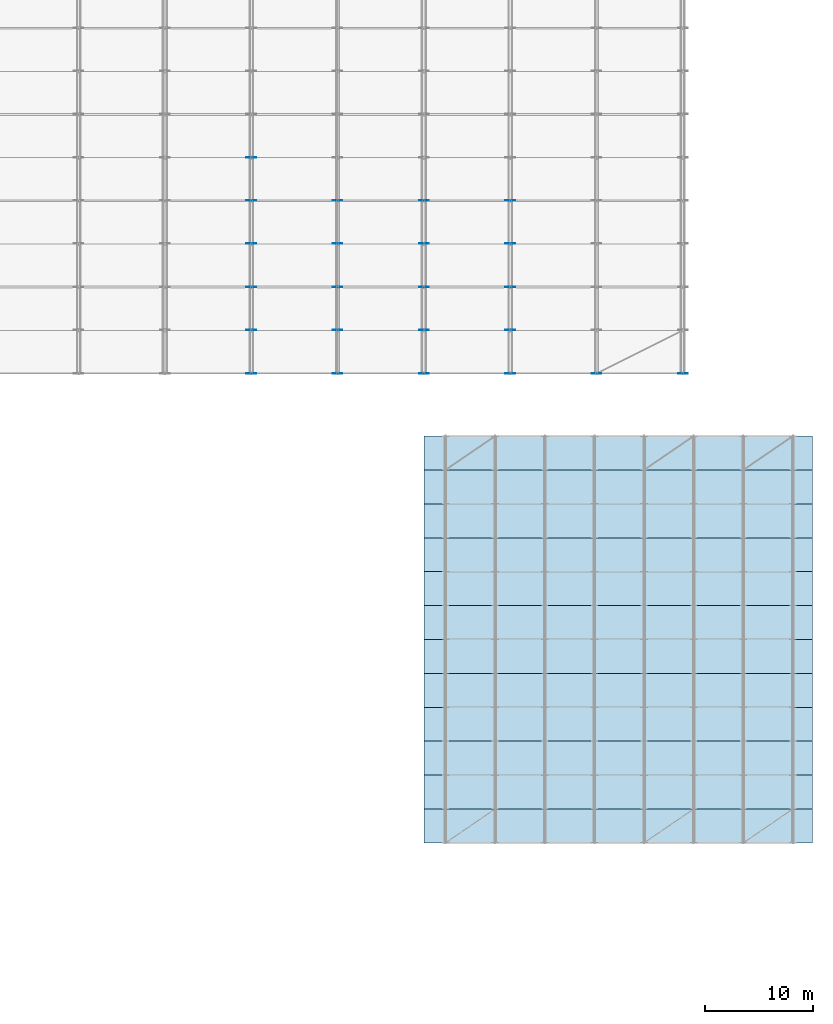
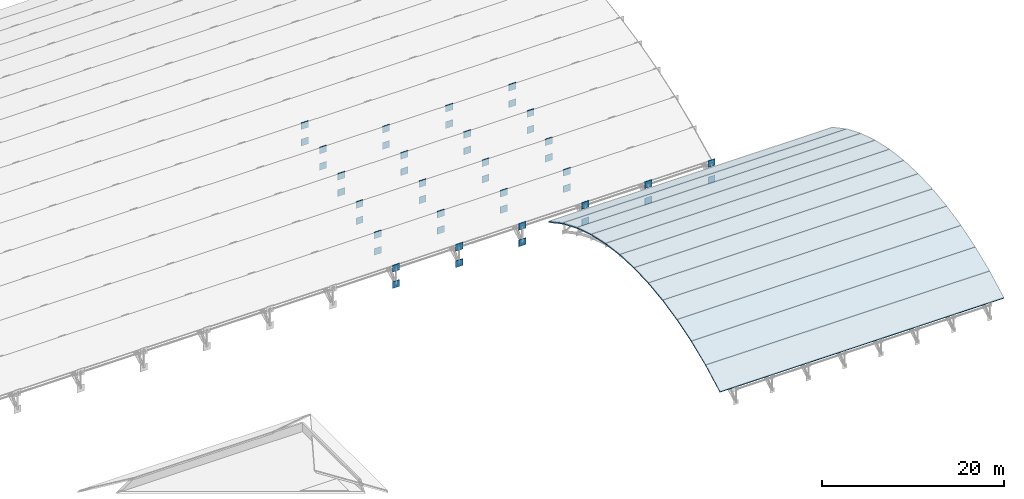
# One storey, part 94 of 98: 46 plates, 12 slabs.
"""IFC4 building model written with IfcOpenShell, lengths in metres."""

from ifc_helpers import new_model, si_unit, direction, frame, origin, origin_2d, place, context, subcontext, project, spatial, polyline, rectangle, outline, extrude, material, layer, layer_set, type_object, element, save


model = new_model("IFC4")

# Units and contexts
model_context = context("Model", 3, precision=1e-05, world=origin(), true_north=direction((0.0, 1.0)))
body_context = subcontext(model_context, "Body", "Model", "MODEL_VIEW")
ifc_project = project(units=[si_unit("LENGTHUNIT", "METRE"), si_unit("AREAUNIT", "SQUARE_METRE"), si_unit("VOLUMEUNIT", "CUBIC_METRE"), si_unit("PLANEANGLEUNIT", "RADIAN"), si_unit("MASSUNIT", "GRAM", prefix="KILO")], contexts=[model_context])

# Site, building, storey
site_placement = place(None, origin())
site = spatial("IfcSite", under=ifc_project, at=site_placement, CompositionType="ELEMENT")
building_placement = place(site_placement, origin())
building = spatial("IfcBuilding", under=site, at=building_placement, Name="Tlacozan Convention Centre", CompositionType="ELEMENT")
storey_placement = place(building_placement, frame((0.0, 0.0, 25.800048828125)))
storey = spatial("IfcBuildingStorey", under=building, at=storey_placement, Name="Roof", CompositionType="ELEMENT", Elevation=25.800048828125)

# Plates
ifc_material_1 = material(Name="Steel ASTM A572 Grade 50", Category="steel")
ifc_layer_1 = layer(ifc_material_1, 0.044921875)
ifc_layer_set_1 = layer_set([ifc_layer_1], Name="Steel ASTM A572 Grade 50")
plate_type = type_object("IfcPlateType", Name="Arch Springing Node Gusset Plate", PredefinedType="SHEET", material=ifc_layer_set_1)
for number, where, z_axis, x_axis, name in (
    (1, (128.0, 61.976318359375, -11.061767578125), (0.0, 0.0, 1.0), (0.0, 1.0, 0.0), "Roof Gusset Cap Plate 545"),
    (2, (128.0, 66.023681640625, -9.070556640625), (0.0, 0.0, 1.0), (0.0, 1.0, 0.0), "Roof Gusset Cap Plate 546"),
    (3, (128.0, 61.976318359375, -13.26171875), (0.0, 0.0, 1.0), (0.0, 1.0, 0.0), "Roof Gusset Cap Plate 547"),
    (4, (128.0, 66.023681640625, -11.2705078125), (0.0, 0.0, 1.0), (0.0, 1.0, 0.0), "Roof Gusset Cap Plate 548"),
    (5, (128.0, 70.0244140625, -7.416015625), (0.0, 0.0, 1.0), (0.0, 1.0, 0.0), "Roof Gusset Cap Plate 549"),
    (6, (128.0, 70.0244140625, -9.615966796875), (0.0, 0.0, 1.0), (0.0, 1.0, 0.0), "Roof Gusset Cap Plate 550"),
    (7, (128.0, 74.025146484375, -6.049072265625), (0.0, 0.0, 1.0), (0.0, 1.0, 0.0), "Roof Gusset Cap Plate 551"),
    (8, (128.0, 74.025146484375, -8.2490234375), (0.0, 0.0, 1.0), (0.0, 1.0, 0.0), "Roof Gusset Cap Plate 552"),
    (9, (128.0, 78.025634765625, -4.9521484375), (0.0, 0.0, 1.0), (0.0, 1.0, 0.0), "Roof Gusset Cap Plate 553"),
    (10, (128.0, 78.025634765625, -7.152099609375), (0.0, 0.0, 1.0), (0.0, 1.0, 0.0), "Roof Gusset Cap Plate 554"),
    (11, (128.0, 82.02587890625, -4.11181640625), (0.0, 0.0, 1.0), (0.0, 1.0, 0.0), "Roof Gusset Cap Plate 555"),
    (12, (128.0, 82.02587890625, -6.311767578125), (0.0, 0.0, 1.0), (0.0, 1.0, 0.0), "Roof Gusset Cap Plate 556"),
    (13, (136.0, 61.976318359375, -11.061767578125), (0.0, 0.0, 1.0), (0.0, 1.0, 0.0), "Roof Gusset Cap Plate 579"),
    (14, (136.0, 66.023681640625, -9.070556640625), (0.0, 0.0, 1.0), (0.0, 1.0, 0.0), "Roof Gusset Cap Plate 580"),
    (15, (136.0, 61.976318359375, -13.26171875), (0.0, 0.0, 1.0), (0.0, 1.0, 0.0), "Roof Gusset Cap Plate 581"),
    (16, (136.0, 66.023681640625, -11.2705078125), (0.0, 0.0, 1.0), (0.0, 1.0, 0.0), "Roof Gusset Cap Plate 582"),
    (17, (136.0, 70.0244140625, -7.416015625), (0.0, 0.0, 1.0), (0.0, 1.0, 0.0), "Roof Gusset Cap Plate 583"),
    (18, (136.0, 70.0244140625, -9.615966796875), (0.0, 0.0, 1.0), (0.0, 1.0, 0.0), "Roof Gusset Cap Plate 584"),
    (19, (136.0, 74.025146484375, -6.049072265625), (0.0, 0.0, 1.0), (0.0, 1.0, 0.0), "Roof Gusset Cap Plate 585"),
    (20, (136.0, 74.025146484375, -8.2490234375), (0.0, 0.0, 1.0), (0.0, 1.0, 0.0), "Roof Gusset Cap Plate 586"),
    (21, (136.0, 78.025634765625, -4.9521484375), (0.0, 0.0, 1.0), (0.0, 1.0, 0.0), "Roof Gusset Cap Plate 587"),
    (22, (136.0, 78.025634765625, -7.152099609375), (0.0, 0.0, 1.0), (0.0, 1.0, 0.0), "Roof Gusset Cap Plate 588"),
    (23, (144.0, 61.976318359375, -11.061767578125), (0.0, 0.0, 1.0), (0.0, 1.0, 0.0), "Roof Gusset Cap Plate 613"),
    (24, (144.0, 66.023681640625, -9.070556640625), (0.0, 0.0, 1.0), (0.0, 1.0, 0.0), "Roof Gusset Cap Plate 614"),
    (25, (144.0, 61.976318359375, -13.26171875), (0.0, 0.0, 1.0), (0.0, 1.0, 0.0), "Roof Gusset Cap Plate 615"),
    (26, (144.0, 66.023681640625, -11.2705078125), (0.0, 0.0, 1.0), (0.0, 1.0, 0.0), "Roof Gusset Cap Plate 616"),
    (27, (144.0, 70.0244140625, -7.416015625), (0.0, 0.0, 1.0), (0.0, 1.0, 0.0), "Roof Gusset Cap Plate 617"),
    (28, (144.0, 70.0244140625, -9.615966796875), (0.0, 0.0, 1.0), (0.0, 1.0, 0.0), "Roof Gusset Cap Plate 618"),
    (29, (144.0, 74.025146484375, -6.049072265625), (0.0, 0.0, 1.0), (0.0, 1.0, 0.0), "Roof Gusset Cap Plate 619"),
    (30, (144.0, 74.025146484375, -8.2490234375), (0.0, 0.0, 1.0), (0.0, 1.0, 0.0), "Roof Gusset Cap Plate 620"),
    (31, (144.0, 78.025634765625, -4.9521484375), (0.0, 0.0, 1.0), (0.0, 1.0, 0.0), "Roof Gusset Cap Plate 621"),
    (32, (144.0, 78.025634765625, -7.152099609375), (0.0, 0.0, 1.0), (0.0, 1.0, 0.0), "Roof Gusset Cap Plate 622"),
    (33, (152.0, 61.976318359375, -11.061767578125), (0.0, 0.0, 1.0), (0.0, 1.0, 0.0), "Roof Gusset Cap Plate 647"),
    (34, (152.0, 66.023681640625, -9.070556640625), (0.0, 0.0, 1.0), (0.0, 1.0, 0.0), "Roof Gusset Cap Plate 648"),
    (35, (152.0, 61.976318359375, -13.26171875), (0.0, 0.0, 1.0), (0.0, 1.0, 0.0), "Roof Gusset Cap Plate 649"),
    (36, (152.0, 66.023681640625, -11.2705078125), (0.0, 0.0, 1.0), (0.0, 1.0, 0.0), "Roof Gusset Cap Plate 650"),
    (37, (152.0, 70.0244140625, -7.416015625), (0.0, 0.0, 1.0), (0.0, 1.0, 0.0), "Roof Gusset Cap Plate 651"),
    (38, (152.0, 70.0244140625, -9.615966796875), (0.0, 0.0, 1.0), (0.0, 1.0, 0.0), "Roof Gusset Cap Plate 652"),
    (39, (152.0, 74.025146484375, -6.049072265625), (0.0, 0.0, 1.0), (0.0, 1.0, 0.0), "Roof Gusset Cap Plate 653"),
    (40, (152.0, 74.025146484375, -8.2490234375), (0.0, 0.0, 1.0), (0.0, 1.0, 0.0), "Roof Gusset Cap Plate 654"),
    (41, (152.0, 78.025634765625, -4.9521484375), (0.0, 0.0, 1.0), (0.0, 1.0, 0.0), "Roof Gusset Cap Plate 655"),
    (42, (152.0, 78.025634765625, -7.152099609375), (0.0, 0.0, 1.0), (0.0, 1.0, 0.0), "Roof Gusset Cap Plate 656"),
    (43, (160.0, 61.976318359375, -11.061767578125), (0.0, 0.0, 1.0), (0.0, 1.0, 0.0), "Roof Gusset Cap Plate 681"),
    (44, (160.0, 61.976318359375, -13.26171875), (0.0, 0.0, 1.0), (0.0, 1.0, 0.0), "Roof Gusset Cap Plate 683"),
    (45, (168.0, 61.976318359375, -11.061767578125), (0.0, 0.0, 1.0), (0.0, 1.0, 0.0), "Roof Gusset Cap Plate 715"),
    (46, (168.0, 61.976318359375, -13.26171875), (0.0, 0.0, 1.0), (0.0, 1.0, 0.0), "Roof Gusset Cap Plate 717"),
):
    element("IfcPlate", number, at=place(storey_placement, frame(where, z_axis=z_axis, x_axis=x_axis)), inside=storey, type_object=plate_type, Name=name, PredefinedType="SHEET", context=body_context, shape_type="SweptSolid", body=[
        extrude(rectangle(XDim=0.044921875, YDim=0.89990234375, at=origin_2d()), origin(), (0.0, 0.0, 1.0), 0.89990234375),
    ])

# Slabs
ifc_material_2 = material(Name="Concrete C40/50", Category="concrete")
ifc_layer_2 = layer(ifc_material_2, 0.14990234375)
ifc_layer_set_2 = layer_set([ifc_layer_2], Name="Concrete C40/50")
slab_type = type_object("IfcSlabType", Name="Plenary Arched Acoustic Roof Deck 150", PredefinedType="ROOF", material=ifc_layer_set_2)
slab_1_placement = place(storey_placement, frame((144.0, 18.5, -6.52001953125), z_axis=(0.0, -0.47053840742, 0.882379514235), x_axis=(1.0, 0.0, 0.0)))
element("IfcSlab", 47, at=slab_1_placement, inside=storey, type_object=slab_type, Name="V3A Arched Roof Facet Slab 1", PredefinedType="ROOF", context=body_context, shape_type="SweptSolid", body=[
    extrude(outline(polyline([(0.0, 0.0), (36.0, 0.0), (36.0, 3.560374546118095), (0.0, 3.560374546118095), (0.0, 0.0)])), origin(), (0.0, 0.0, -1.0), 0.14990234375),
])
slab_2_placement = place(storey_placement, frame((144.0, 21.6416015625, -4.8447265625), z_axis=(0.0, -0.384941300464, 0.922941057271), x_axis=(1.0, 0.0, 0.0)))
element("IfcSlab", 48, at=slab_2_placement, inside=storey, type_object=slab_type, Name="V3A Arched Roof Facet Slab 2", PredefinedType="ROOF", context=body_context, shape_type="SweptSolid", body=[
    extrude(outline(polyline([(0.0, 0.0), (36.0, 0.0), (36.0, 3.4039027061907987), (0.0, 3.4039027061907987), (0.0, 0.0)])), origin(), (0.0, 0.0, -1.0), 0.14990234375),
])
slab_3_placement = place(storey_placement, frame((144.0, 24.783203125, -3.534423828125), z_axis=(0.0, -0.299385073186, 0.954132369199), x_axis=(1.0, 0.0, 0.0)))
element("IfcSlab", 49, at=slab_3_placement, inside=storey, type_object=slab_type, Name="V3A Arched Roof Facet Slab 3", PredefinedType="ROOF", context=body_context, shape_type="SweptSolid", body=[
    extrude(outline(polyline([(0.0, 0.0), (36.0, 0.0), (36.0, 3.292882418151315), (0.0, 3.292882418151315), (0.0, 0.0)])), origin(), (0.0, 0.0, -1.0), 0.14990234375),
])
slab_4_placement = place(storey_placement, frame((144.0, 27.925048828125, -2.548583984375), z_axis=(0.0, -0.213850827415, 0.976866328427), x_axis=(1.0, 0.0, 0.0)))
element("IfcSlab", 50, at=slab_4_placement, inside=storey, type_object=slab_type, Name="V3A Arched Roof Facet Slab 4", PredefinedType="ROOF", context=body_context, shape_type="SweptSolid", body=[
    extrude(outline(polyline([(0.0, 0.0), (36.0, 0.0), (36.0, 3.2159994372615275), (0.0, 3.2159994372615275), (0.0, 0.0)])), origin(), (0.0, 0.0, -1.0), 0.14990234375),
])
slab_5_placement = place(storey_placement, frame((144.0, 31.066650390625, -1.86083984375), z_axis=(0.0, -0.12824522076, 0.991742488427), x_axis=(1.0, 0.0, 0.0)))
element("IfcSlab", 51, at=slab_5_placement, inside=storey, type_object=slab_type, Name="V3A Arched Roof Facet Slab 5", PredefinedType="ROOF", context=body_context, shape_type="SweptSolid", body=[
    extrude(outline(polyline([(0.0, 0.0), (36.0, 0.0), (36.0, 3.1677593721749826), (0.0, 3.1677593721749826), (0.0, 0.0)])), origin(), (0.0, 0.0, -1.0), 0.14990234375),
])
slab_6_placement = place(storey_placement, frame((144.0, 34.208251953125, -1.45458984375), z_axis=(0.0, -0.042776877953, 0.999084650424), x_axis=(1.0, 0.0, 0.0)))
element("IfcSlab", 52, at=slab_6_placement, inside=storey, type_object=slab_type, Name="V3A Arched Roof Facet Slab 6", PredefinedType="ROOF", context=body_context, shape_type="SweptSolid", body=[
    extrude(outline(polyline([(0.0, 0.0), (36.0, 0.0), (36.0, 3.144724225111556), (0.0, 3.144724225111556), (0.0, 0.0)])), origin(), (0.0, 0.0, -1.0), 0.14990234375),
])
slab_7_placement = place(storey_placement, frame((144.0, 37.35009765625, -1.320068359375), z_axis=(0.0, 0.042780196153, 0.999084508346), x_axis=(1.0, 0.0, 0.0)))
element("IfcSlab", 53, at=slab_7_placement, inside=storey, type_object=slab_type, Name="V3A Arched Roof Facet Slab 7", PredefinedType="ROOF", context=body_context, shape_type="SweptSolid", body=[
    extrude(outline(polyline([(0.0, 0.0), (36.0, 0.0), (36.0, 3.144480307977917), (0.0, 3.144480307977917), (0.0, 0.0)])), origin(), (0.0, 0.0, -1.0), 0.14990234375),
])
slab_8_placement = place(storey_placement, frame((144.0, 40.49169921875, -1.45458984375), z_axis=(0.0, 0.12824522076, 0.991742488427), x_axis=(1.0, 0.0, 0.0)))
element("IfcSlab", 54, at=slab_8_placement, inside=storey, type_object=slab_type, Name="V3A Arched Roof Facet Slab 8", PredefinedType="ROOF", context=body_context, shape_type="SweptSolid", body=[
    extrude(outline(polyline([(0.0, 0.0), (36.0, 0.0), (36.0, 3.1677593721749826), (0.0, 3.1677593721749826), (0.0, 0.0)])), origin(), (0.0, 0.0, -1.0), 0.14990234375),
])
slab_9_placement = place(storey_placement, frame((144.0, 43.63330078125, -1.86083984375), z_axis=(0.0, 0.213850827415, 0.976866328427), x_axis=(1.0, 0.0, 0.0)))
element("IfcSlab", 55, at=slab_9_placement, inside=storey, type_object=slab_type, Name="V3A Arched Roof Facet Slab 9", PredefinedType="ROOF", context=body_context, shape_type="SweptSolid", body=[
    extrude(outline(polyline([(0.0, 0.0), (36.0, 0.0), (36.0, 3.2159994372615275), (0.0, 3.2159994372615275), (0.0, 0.0)])), origin(), (0.0, 0.0, -1.0), 0.14990234375),
])
slab_10_placement = place(storey_placement, frame((144.0, 46.77490234375, -2.548583984375), z_axis=(0.0, 0.299385073186, 0.954132369199), x_axis=(1.0, 0.0, 0.0)))
element("IfcSlab", 56, at=slab_10_placement, inside=storey, type_object=slab_type, Name="V3A Arched Roof Facet Slab 10", PredefinedType="ROOF", context=body_context, shape_type="SweptSolid", body=[
    extrude(outline(polyline([(0.0, 0.0), (36.0, 0.0), (36.0, 3.292882418151315), (0.0, 3.292882418151315), (0.0, 0.0)])), origin(), (0.0, 0.0, -1.0), 0.14990234375),
])
slab_11_placement = place(storey_placement, frame((144.0, 49.916748046875, -3.534423828125), z_axis=(0.0, 0.384941300464, 0.922941057271), x_axis=(1.0, 0.0, 0.0)))
element("IfcSlab", 57, at=slab_11_placement, inside=storey, type_object=slab_type, Name="V3A Arched Roof Facet Slab 11", PredefinedType="ROOF", context=body_context, shape_type="SweptSolid", body=[
    extrude(outline(polyline([(0.0, 0.0), (36.0, 0.0), (36.0, 3.4039027061907987), (0.0, 3.4039027061907987), (0.0, 0.0)])), origin(), (0.0, 0.0, -1.0), 0.14990234375),
])
slab_12_placement = place(storey_placement, frame((144.0, 53.058349609375, -4.8447265625), z_axis=(0.0, 0.47053840742, 0.882379514235), x_axis=(1.0, 0.0, 0.0)))
element("IfcSlab", 58, at=slab_12_placement, inside=storey, type_object=slab_type, Name="V3A Arched Roof Facet Slab 12", PredefinedType="ROOF", context=body_context, shape_type="SweptSolid", body=[
    extrude(outline(polyline([(0.0, 0.0), (36.0, 0.0), (36.0, 3.560374546118095), (0.0, 3.560374546118095), (0.0, 0.0)])), origin(), (0.0, 0.0, -1.0), 0.14990234375),
])

save(model, "model.ifc")
